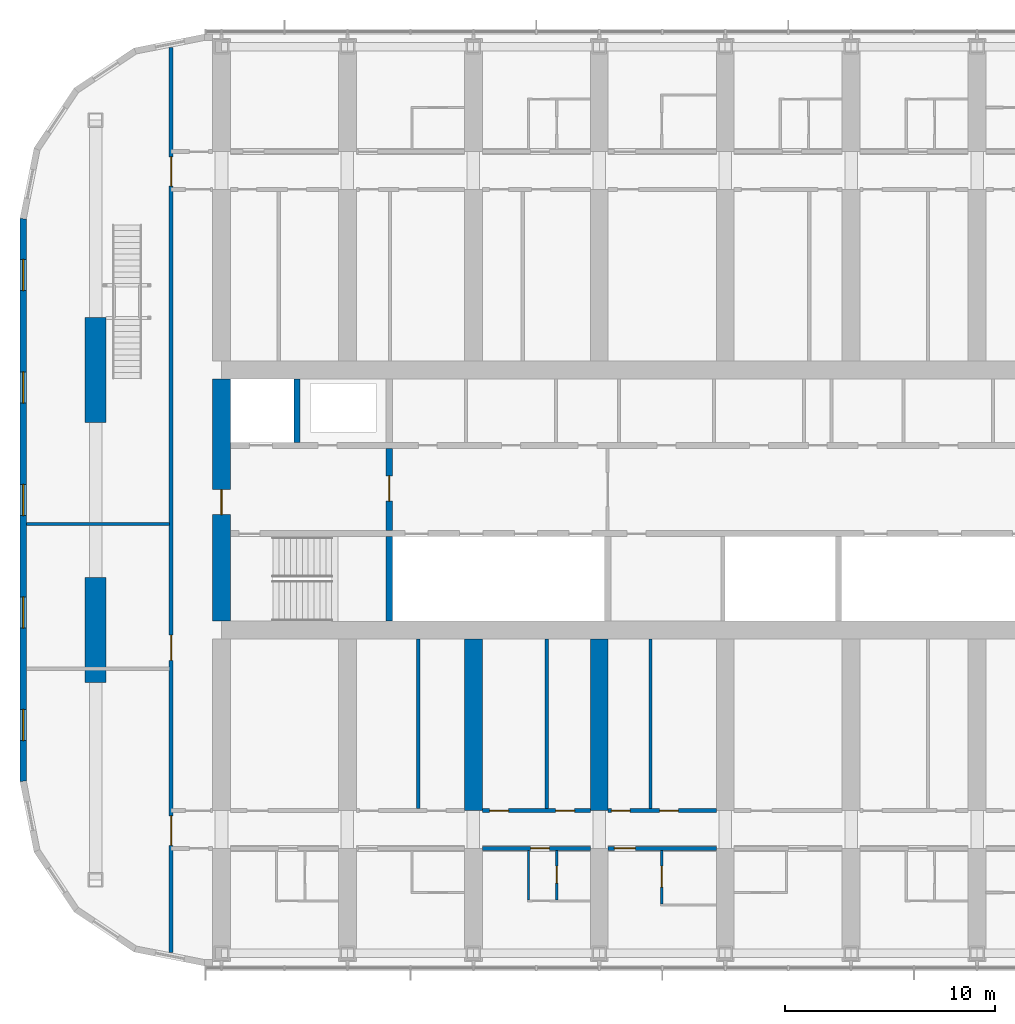
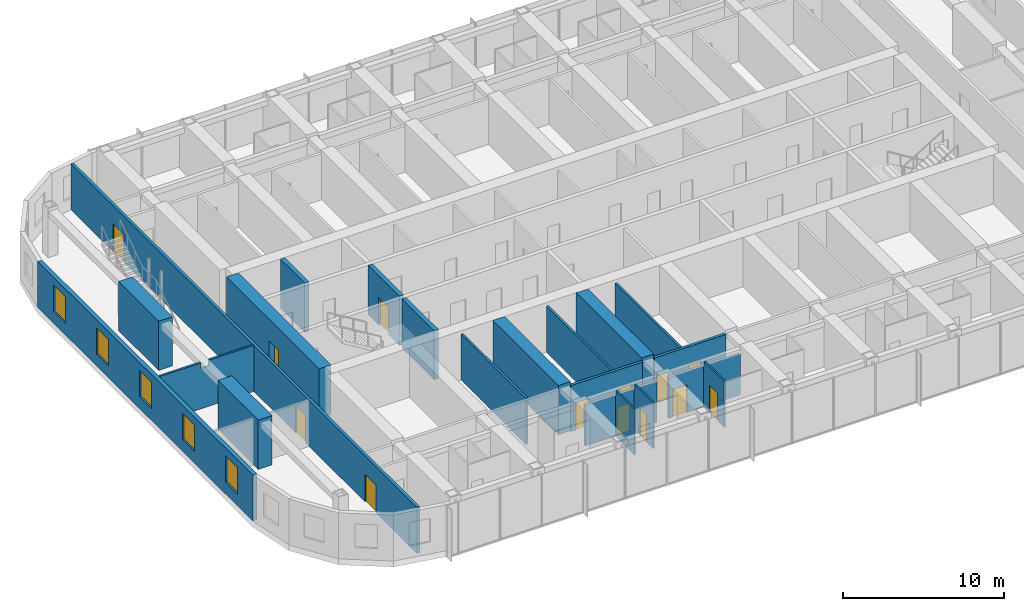
# One storey, part 15 of 29: 21 walls, 13 doors, 5 windows, 18 openings.
"""IFC4 building model written with IfcOpenShell, lengths in metres."""

from ifc_helpers import new_model, si_unit, direction, frame, frame_2d, origin, place, context, subcontext, project, spatial, polyline, rectangle, outline, extrude, material, layer, layer_set, type_object, element, fill, save


model = new_model("IFC4")

# Units and contexts
model_context = context("Model", 3, precision=1e-05, world=origin(), true_north=direction((0.0, 1.0)))
body_context = subcontext(model_context, "Body", "Model", "MODEL_VIEW")
ifc_project = project(units=[si_unit("LENGTHUNIT", "METRE"), si_unit("AREAUNIT", "SQUARE_METRE"), si_unit("VOLUMEUNIT", "CUBIC_METRE"), si_unit("PLANEANGLEUNIT", "RADIAN"), si_unit("MASSUNIT", "GRAM", prefix="KILO")], contexts=[model_context])

# Site, building, storey
site_placement = place(None, origin())
site = spatial("IfcSite", under=ifc_project, at=site_placement, CompositionType="ELEMENT")
building_placement = place(site_placement, origin())
building = spatial("IfcBuilding", under=site, at=building_placement, Name="Orbita Commons", CompositionType="ELEMENT")
storey_placement = place(building_placement, frame((0.0, 0.0, 163.60009765625)))
storey = spatial("IfcBuildingStorey", under=building, at=storey_placement, Name="L40", CompositionType="ELEMENT", Elevation=163.60009765625)

# Wall
ifc_material_1 = material(Name="Concrete C50/60", Category="concrete")
ifc_layer_1 = layer(ifc_material_1, 0.300048828125)
ifc_layer_set_1 = layer_set([ifc_layer_1], Name="Concrete C50/60")
wall_type_1 = type_object("IfcWallType", Name="Core inner wall 300 C50/60", PredefinedType="SHEAR", material=ifc_layer_set_1)
wall_1_placement = place(storey_placement, frame((26.0, 26.22509765625, 0.0), z_axis=(0.0, 0.0, 1.0), x_axis=(0.0, 1.0, 0.0)))
element("IfcWall", 1, at=wall_1_placement, inside=storey, type_object=wall_type_1, Name="Stair S1 wall L40", PredefinedType="SHEAR", context=body_context, shape_type="SweptSolid", body=[
    extrude(rectangle(XDim=4.02490234375, YDim=0.300048828125, at=frame_2d((2.012451171875, 0.0))), origin(), (0.0, 0.0, 1.0), 3.75),
])

# Wall, opening, door
wall_2_placement = place(storey_placement, frame((26.0, 30.550048828125, 0.0), z_axis=(0.0, 0.0, 1.0), x_axis=(0.0, 1.0, 0.0)))
wall_2 = element("IfcWall", 2, at=wall_2_placement, inside=storey, type_object=wall_type_1, Name="Firefighting lobby wall west L40", PredefinedType="SHEAR", context=body_context, shape_type="SweptSolid", body=[
    extrude(rectangle(XDim=3.89990234375, YDim=0.300048828125, at=frame_2d((1.949951171875, 0.0))), origin(), (0.0, 0.0, 1.0), 3.75),
])
opening_1_placement = place(wall_2_placement, frame((1.39990234375, 0.0, 0.0)))
opening_1 = element("IfcOpeningElement", 3, at=opening_1_placement, cuts=wall_2, Name="Opening D04", PredefinedType="OPENING", context=body_context, shape_type="SweptSolid", body=[
    extrude(rectangle(XDim=1.199951171875, YDim=2.10009765625, at=frame_2d((0.60009765625, 1.050048828125))), frame((0.0, 0.159912109375, 0.0), z_axis=(0.0, -1.0, 0.0), x_axis=(1.0, 0.0, 0.0)), (0.0, 0.0, 1.0), 0.320068359375),
])
ifc_material_2 = material(Name="Steel-faced fire door leaf", Category="steel")
door_type_1 = type_object("IfcDoorType", Name="Service door 20 min 1200x2100", OperationType="SINGLE_SWING_LEFT", PredefinedType="DOOR", material=ifc_material_2)
door_1_placement = place(opening_1_placement, origin())
door_1 = element("IfcDoor", 4, at=door_1_placement, inside=storey, type_object=door_type_1, Name="Lift lobby door west", OperationType="SINGLE_SWING_LEFT", OverallHeight=2.10009765625, OverallWidth=1.199951171875, PredefinedType="DOOR", context=body_context, shape_type="SweptSolid", body=[
    extrude(rectangle(XDim=1.199951171875, YDim=2.10009765625, at=frame_2d((0.60009765625, 1.050048828125))), frame((0.0, 0.02490234375, 0.0), z_axis=(0.0, -1.0, 0.0), x_axis=(1.0, 0.0, 0.0)), (0.0, 0.0, 1.0), 0.050048828125),
])
fill(opening_1, door_1)

# Wall
wall_3_placement = place(storey_placement, frame((21.60009765625, 34.75, 0.0), z_axis=(0.0, 0.0, 1.0), x_axis=(0.0, 1.0, 0.0)))
element("IfcWall", 5, at=wall_3_placement, inside=storey, type_object=wall_type_1, Name="Firefighting lift FL1 shaft wall L40", PredefinedType="SHEAR", context=body_context, shape_type="SweptSolid", body=[
    extrude(rectangle(XDim=3.02490234375, YDim=0.300048828125, at=frame_2d((1.512451171875, 0.0))), origin(), (0.0, 0.0, 1.0), 3.75),
])

# Wall, opening, door
ifc_material_3 = material(Name="Concrete C50/60", Category="concrete")
ifc_layer_2 = layer(ifc_material_3, 0.85009765625)
ifc_layer_set_2 = layer_set([ifc_layer_2], Name="Concrete C50/60")
wall_type_2 = type_object("IfcWallType", Name="Core wall 850 C50/60", PredefinedType="SHEAR", material=ifc_layer_set_2)
wall_4_placement = place(storey_placement, frame((18.0, 26.22509765625, 0.0), z_axis=(0.0, 0.0, 1.0), x_axis=(0.0, 1.0, 0.0)))
wall_4 = element("IfcWall", 6, at=wall_4_placement, inside=storey, type_object=wall_type_2, Name="Core end wall west L40", PredefinedType="SHEAR", context=body_context, shape_type="SweptSolid", body=[
    extrude(rectangle(XDim=11.5498046875, YDim=0.85009765625, at=frame_2d((5.77490234375, 0.0))), origin(), (0.0, 0.0, 1.0), 3.75),
])
opening_2_placement = place(wall_4_placement, frame((5.074951171875, 0.0, 0.0)))
opening_2 = element("IfcOpeningElement", 7, at=opening_2_placement, cuts=wall_4, Name="Opening D01", PredefinedType="OPENING", context=body_context, shape_type="SweptSolid", body=[
    extrude(rectangle(XDim=1.199951171875, YDim=2.10009765625, at=frame_2d((0.60009765625, 1.050048828125))), frame((0.0, 0.43505859375, 0.0), z_axis=(0.0, -1.0, 0.0), x_axis=(1.0, 0.0, 0.0)), (0.0, 0.0, 1.0), 0.8701171875),
])
ifc_material_4 = material(Name="Steel-faced fire door leaf", Category="steel")
door_type_2 = type_object("IfcDoorType", Name="Fire door 90 min 1200x2100", OperationType="SINGLE_SWING_LEFT", PredefinedType="DOOR", material=ifc_material_4)
door_2_placement = place(opening_2_placement, origin())
door_2 = element("IfcDoor", 8, at=door_2_placement, inside=storey, type_object=door_type_2, Name="Firefighting lobby west door", OperationType="SINGLE_SWING_LEFT", OverallHeight=2.10009765625, OverallWidth=1.199951171875, PredefinedType="DOOR", context=body_context, shape_type="SweptSolid", body=[
    extrude(rectangle(XDim=1.199951171875, YDim=2.10009765625, at=frame_2d((0.60009765625, 1.050048828125))), frame((0.0, 0.02490234375, 0.0), z_axis=(0.0, -1.0, 0.0), x_axis=(1.0, 0.0, 0.0)), (0.0, 0.0, 1.0), 0.050048828125),
])
fill(opening_2, door_2)

ifc_material_5 = material(Name="Concrete blockwork", Category="masonry")
ifc_layer_3 = layer(ifc_material_5, 0.199951171875)
ifc_layer_set_3 = layer_set([ifc_layer_3], Name="Concrete blockwork")
wall_type_3 = type_object("IfcWallType", Name="Corridor wall 200 blockwork", PredefinedType="SOLIDWALL", material=ifc_layer_set_3)
wall_5_placement = place(storey_placement, frame((30.425048828125, 15.39990234375, 0.0), z_axis=(0.0, 0.0, 1.0), x_axis=(1.0, 0.0, 0.0)))
wall_5 = element("IfcWall", 9, at=wall_5_placement, inside=storey, type_object=wall_type_3, Name="Corridor wall 200 blockwork L40", PredefinedType="SOLIDWALL", context=body_context, shape_type="SweptSolid", body=[
    extrude(outline(polyline([(0.0, 0.0), (5.14990234375, 0.0), (5.14990234375, 3.099853515625), (0.0, 3.099853515625), (0.0, 0.0)])), frame((0.0, 0.10009765625, 0.0), z_axis=(0.0, -1.0, 0.0), x_axis=(1.0, 0.0, 0.0)), (0.0, 0.0, 1.0), 0.199951171875),
])
opening_3_placement = place(wall_5_placement, frame((2.300048828125, 0.0, 0.0)))
opening_3 = element("IfcOpeningElement", 10, at=opening_3_placement, cuts=wall_5, Name="Opening D11", PredefinedType="OPENING", context=body_context, shape_type="SweptSolid", body=[
    extrude(rectangle(XDim=0.89990234375, YDim=2.10009765625, at=frame_2d((0.449951171875, 1.050048828125))), frame((0.0, 0.10986328125, 0.0), z_axis=(0.0, -1.0, 0.0), x_axis=(1.0, 0.0, 0.0)), (0.0, 0.0, 1.0), 0.219970703125),
])
ifc_material_6 = material(Name="Steel-faced fire door leaf", Category="steel")
door_type_3 = type_object("IfcDoorType", Name="Corridor door 20 min 900x2100", OperationType="SINGLE_SWING_LEFT", PredefinedType="DOOR", material=ifc_material_6)
door_3_placement = place(opening_3_placement, origin())
door_3 = element("IfcDoor", 11, at=door_3_placement, inside=storey, type_object=door_type_3, Name="Studio flat L40-S04 entrance door", OperationType="SINGLE_SWING_LEFT", OverallHeight=2.10009765625, OverallWidth=0.89990234375, PredefinedType="DOOR", context=body_context, shape_type="SweptSolid", body=[
    extrude(rectangle(XDim=0.89990234375, YDim=2.10009765625, at=frame_2d((0.449951171875, 1.050048828125))), frame((0.0, 0.02490234375, 0.0), z_axis=(0.0, -1.0, 0.0), x_axis=(1.0, 0.0, 0.0)), (0.0, 0.0, 1.0), 0.050048828125),
])
fill(opening_3, door_3)

wall_6_placement = place(storey_placement, frame((36.425048828125, 15.39990234375, 0.0), z_axis=(0.0, 0.0, 1.0), x_axis=(1.0, 0.0, 0.0)))
wall_6 = element("IfcWall", 12, at=wall_6_placement, inside=storey, type_object=wall_type_3, Name="Corridor wall 200 blockwork L40", PredefinedType="SOLIDWALL", context=body_context, shape_type="SweptSolid", body=[
    extrude(outline(polyline([(0.0, 0.0), (5.14990234375, 0.0), (5.14990234375, 3.099853515625), (0.0, 3.099853515625), (0.0, 0.0)])), frame((0.0, 0.10009765625, 0.0), z_axis=(0.0, -1.0, 0.0), x_axis=(1.0, 0.0, 0.0)), (0.0, 0.0, 1.0), 0.199951171875),
])
opening_4_placement = place(wall_6_placement, frame((0.300048828125, 0.0, 0.0)))
opening_4 = element("IfcOpeningElement", 13, at=opening_4_placement, cuts=wall_6, Name="Opening D06", PredefinedType="OPENING", context=body_context, shape_type="SweptSolid", body=[
    extrude(rectangle(XDim=1.0, YDim=2.10009765625, at=frame_2d((0.5, 1.050048828125))), frame((0.0, 0.10986328125, 0.0), z_axis=(0.0, -1.0, 0.0), x_axis=(1.0, 0.0, 0.0)), (0.0, 0.0, 1.0), 0.219970703125),
])
ifc_material_7 = material(Name="Steel-faced fire door leaf", Category="steel")
door_type_4 = type_object("IfcDoorType", Name="Corridor door 20 min 1000x2100", OperationType="SINGLE_SWING_LEFT", PredefinedType="DOOR", material=ifc_material_7)
door_4_placement = place(opening_4_placement, origin())
door_4 = element("IfcDoor", 14, at=door_4_placement, inside=storey, type_object=door_type_4, Name="Accessible bedroom L40-S06 door", OperationType="SINGLE_SWING_LEFT", OverallHeight=2.10009765625, OverallWidth=1.0, PredefinedType="DOOR", context=body_context, shape_type="SweptSolid", body=[
    extrude(rectangle(XDim=1.0, YDim=2.10009765625, at=frame_2d((0.5, 1.050048828125))), frame((0.0, 0.02490234375, 0.0), z_axis=(0.0, -1.0, 0.0), x_axis=(1.0, 0.0, 0.0)), (0.0, 0.0, 1.0), 0.050048828125),
])
fill(opening_4, door_4)

# Wall, openings, doors
wall_7_placement = place(storey_placement, frame((15.60009765625, 10.4462890625, 0.0), z_axis=(0.0, 0.0, 1.0), x_axis=(0.0, 1.0, 0.0)))
wall_7 = element("IfcWall", 15, at=wall_7_placement, inside=storey, type_object=wall_type_3, Name="Corridor wall 200 blockwork L40", PredefinedType="SOLIDWALL", context=body_context, shape_type="SweptSolid", body=[
    extrude(rectangle(XDim=43.107421875, YDim=0.199951171875, at=frame_2d((21.5537109375, 0.0))), origin(), (0.0, 0.0, 1.0), 3.5),
])
opening_5_placement = place(wall_7_placement, frame((13.913818359375, 0.0, 0.0)))
opening_5 = element("IfcOpeningElement", 16, at=opening_5_placement, cuts=wall_7, Name="Opening D15", PredefinedType="OPENING", context=body_context, shape_type="SweptSolid", body=[
    extrude(rectangle(XDim=1.199951171875, YDim=2.10009765625, at=frame_2d((0.60009765625, 1.050048828125))), frame((0.0, 0.10986328125, 0.0), z_axis=(0.0, -1.0, 0.0), x_axis=(1.0, 0.0, 0.0)), (0.0, 0.0, 1.0), 0.219970703125),
])
opening_6_placement = place(wall_7_placement, frame((5.103759765625, 0.0, 0.0)))
opening_6 = element("IfcOpeningElement", 17, at=opening_6_placement, cuts=wall_7, Name="Opening D08", PredefinedType="OPENING", context=body_context, shape_type="SweptSolid", body=[
    extrude(rectangle(XDim=1.39990234375, YDim=2.10009765625, at=frame_2d((0.699951171875, 1.050048828125))), frame((0.0, 0.10986328125, 0.0), z_axis=(0.0, -1.0, 0.0), x_axis=(1.0, 0.0, 0.0)), (0.0, 0.0, 1.0), 0.219970703125),
])
opening_7_placement = place(wall_7_placement, frame((36.50390625, 0.0, 0.0)))
opening_7 = element("IfcOpeningElement", 18, at=opening_7_placement, cuts=wall_7, Name="Opening D08", PredefinedType="OPENING", context=body_context, shape_type="SweptSolid", body=[
    extrude(rectangle(XDim=1.39990234375, YDim=2.10009765625, at=frame_2d((0.699951171875, 1.050048828125))), frame((0.0, 0.10986328125, 0.0), z_axis=(0.0, -1.0, 0.0), x_axis=(1.0, 0.0, 0.0)), (0.0, 0.0, 1.0), 0.219970703125),
])
ifc_material_8 = material(Name="Steel-faced fire door leaf", Category="steel")
door_type_5 = type_object("IfcDoorType", Name="Corridor door 20 min 1200x2100", OperationType="SINGLE_SWING_LEFT", PredefinedType="DOOR", material=ifc_material_8)
door_5_placement = place(opening_5_placement, origin())
door_5 = element("IfcDoor", 19, at=door_5_placement, inside=storey, type_object=door_type_5, Name="Reading room door", OperationType="SINGLE_SWING_LEFT", OverallHeight=2.10009765625, OverallWidth=1.199951171875, PredefinedType="DOOR", context=body_context, shape_type="SweptSolid", body=[
    extrude(rectangle(XDim=1.199951171875, YDim=2.10009765625, at=frame_2d((0.60009765625, 1.050048828125))), frame((0.0, 0.02490234375, 0.0), z_axis=(0.0, -1.0, 0.0), x_axis=(1.0, 0.0, 0.0)), (0.0, 0.0, 1.0), 0.050048828125),
])
fill(opening_5, door_5)
ifc_material_9 = material(Name="Steel-faced fire door leaf", Category="steel")
door_type_6 = type_object("IfcDoorType", Name="Double corridor door 20 min 1400x2100", OperationType="DOUBLE_DOOR_SINGLE_SWING", PredefinedType="DOOR", material=ifc_material_9)
door_6_placement = place(opening_6_placement, origin())
door_6 = element("IfcDoor", 20, at=door_6_placement, inside=storey, type_object=door_type_6, Name="Lounge doors", OperationType="DOUBLE_DOOR_SINGLE_SWING", OverallHeight=2.10009765625, OverallWidth=1.39990234375, PredefinedType="DOOR", context=body_context, shape_type="SweptSolid", body=[
    extrude(rectangle(XDim=1.39990234375, YDim=2.10009765625, at=frame_2d((0.699951171875, 1.050048828125))), frame((0.0, 0.02490234375, 0.0), z_axis=(0.0, -1.0, 0.0), x_axis=(1.0, 0.0, 0.0)), (0.0, 0.0, 1.0), 0.050048828125),
])
fill(opening_6, door_6)
door_7_placement = place(opening_7_placement, origin())
door_7 = element("IfcDoor", 21, at=door_7_placement, inside=storey, type_object=door_type_6, Name="Lounge doors", OperationType="DOUBLE_DOOR_SINGLE_SWING", OverallHeight=2.10009765625, OverallWidth=1.39990234375, PredefinedType="DOOR", context=body_context, shape_type="SweptSolid", body=[
    extrude(rectangle(XDim=1.39990234375, YDim=2.10009765625, at=frame_2d((0.699951171875, 1.050048828125))), frame((0.0, 0.02490234375, 0.0), z_axis=(0.0, -1.0, 0.0), x_axis=(1.0, 0.0, 0.0)), (0.0, 0.0, 1.0), 0.050048828125),
])
fill(opening_7, door_7)

ifc_material_10 = material(Name="Hollow concrete block 200", Category="concrete")
ifc_layer_4 = layer(ifc_material_10, 0.199951171875)
ifc_layer_set_4 = layer_set([ifc_layer_4], Name="Hollow concrete block 200")
wall_type_4 = type_object("IfcWallType", Name="Corridor wall 200 hollow concrete block", PredefinedType="SOLIDWALL", material=ifc_layer_set_4)
wall_8_placement = place(storey_placement, frame((30.425048828125, 17.199951171875, 0.0), z_axis=(0.0, 0.0, 1.0), x_axis=(1.0, 0.0, 0.0)))
wall_8 = element("IfcWall", 22, at=wall_8_placement, inside=storey, type_object=wall_type_4, Name="Corridor wall 200 hollow concrete block L40", PredefinedType="SOLIDWALL", context=body_context, shape_type="SweptSolid", body=[
    extrude(rectangle(XDim=5.14990234375, YDim=0.199951171875, at=frame_2d((2.574951171875, 0.0))), origin(), (0.0, 0.0, 1.0), 3.5),
])
opening_8_placement = place(wall_8_placement, frame((0.35009765625, 0.0, 0.0)))
opening_8 = element("IfcOpeningElement", 23, at=opening_8_placement, cuts=wall_8, Name="Opening D11", PredefinedType="OPENING", context=body_context, shape_type="SweptSolid", body=[
    extrude(rectangle(XDim=0.89990234375, YDim=2.10009765625, at=frame_2d((0.449951171875, 1.050048828125))), frame((0.0, 0.10986328125, 0.0), z_axis=(0.0, -1.0, 0.0), x_axis=(1.0, 0.0, 0.0)), (0.0, 0.0, 1.0), 0.219970703125),
])
opening_9_placement = place(wall_8_placement, frame((3.4951171875, 0.0, 0.0)))
opening_9 = element("IfcOpeningElement", 24, at=opening_9_placement, cuts=wall_8, Name="Opening D11", PredefinedType="OPENING", context=body_context, shape_type="SweptSolid", body=[
    extrude(rectangle(XDim=0.89990234375, YDim=2.10009765625, at=frame_2d((0.449951171875, 1.050048828125))), frame((0.0, 0.10986328125, 0.0), z_axis=(0.0, -1.0, 0.0), x_axis=(1.0, 0.0, 0.0)), (0.0, 0.0, 1.0), 0.219970703125),
])
door_8_placement = place(opening_8_placement, origin())
door_8 = element("IfcDoor", 25, at=door_8_placement, inside=storey, type_object=door_type_3, Name="Music practice room L40-BDS30 door", OperationType="SINGLE_SWING_LEFT", OverallHeight=2.10009765625, OverallWidth=0.89990234375, PredefinedType="DOOR", context=body_context, shape_type="SweptSolid", body=[
    extrude(rectangle(XDim=0.89990234375, YDim=2.10009765625, at=frame_2d((0.449951171875, 1.050048828125))), frame((0.0, 0.02490234375, 0.0), z_axis=(0.0, -1.0, 0.0), x_axis=(1.0, 0.0, 0.0)), (0.0, 0.0, 1.0), 0.050048828125),
])
fill(opening_8, door_8)
door_9_placement = place(opening_9_placement, origin())
door_9 = element("IfcDoor", 26, at=door_9_placement, inside=storey, type_object=door_type_3, Name="Battery and UPS room L40-BDS30n door", OperationType="SINGLE_SWING_LEFT", OverallHeight=2.10009765625, OverallWidth=0.89990234375, PredefinedType="DOOR", context=body_context, shape_type="SweptSolid", body=[
    extrude(rectangle(XDim=0.89990234375, YDim=2.10009765625, at=frame_2d((0.449951171875, 1.050048828125))), frame((0.0, 0.02490234375, 0.0), z_axis=(0.0, -1.0, 0.0), x_axis=(1.0, 0.0, 0.0)), (0.0, 0.0, 1.0), 0.050048828125),
])
fill(opening_9, door_9)

wall_9_placement = place(storey_placement, frame((36.425048828125, 17.199951171875, 0.0), z_axis=(0.0, 0.0, 1.0), x_axis=(1.0, 0.0, 0.0)))
wall_9 = element("IfcWall", 27, at=wall_9_placement, inside=storey, type_object=wall_type_4, Name="Corridor wall 200 hollow concrete block L40", PredefinedType="SOLIDWALL", context=body_context, shape_type="SweptSolid", body=[
    extrude(rectangle(XDim=5.14990234375, YDim=0.199951171875, at=frame_2d((2.574951171875, 0.0))), origin(), (0.0, 0.0, 1.0), 3.5),
])
opening_10_placement = place(wall_9_placement, frame((0.14990234375, 0.0, 0.0)))
opening_10 = element("IfcOpeningElement", 28, at=opening_10_placement, cuts=wall_9, Name="Opening D11", PredefinedType="OPENING", context=body_context, shape_type="SweptSolid", body=[
    extrude(rectangle(XDim=0.89990234375, YDim=2.10009765625, at=frame_2d((0.449951171875, 1.050048828125))), frame((0.0, 0.10986328125, 0.0), z_axis=(0.0, -1.0, 0.0), x_axis=(1.0, 0.0, 0.0)), (0.0, 0.0, 1.0), 0.219970703125),
])
opening_11_placement = place(wall_9_placement, frame((2.445068359375, 0.0, 0.0)))
opening_11 = element("IfcOpeningElement", 29, at=opening_11_placement, cuts=wall_9, Name="Opening D11", PredefinedType="OPENING", context=body_context, shape_type="SweptSolid", body=[
    extrude(rectangle(XDim=0.89990234375, YDim=2.10009765625, at=frame_2d((0.449951171875, 1.050048828125))), frame((0.0, 0.10986328125, 0.0), z_axis=(0.0, -1.0, 0.0), x_axis=(1.0, 0.0, 0.0)), (0.0, 0.0, 1.0), 0.219970703125),
])
door_10_placement = place(opening_10_placement, origin())
door_10 = element("IfcDoor", 30, at=door_10_placement, inside=storey, type_object=door_type_3, Name="Sprinkler valve room L40-BDS36n door", OperationType="SINGLE_SWING_LEFT", OverallHeight=2.10009765625, OverallWidth=0.89990234375, PredefinedType="DOOR", context=body_context, shape_type="SweptSolid", body=[
    extrude(rectangle(XDim=0.89990234375, YDim=2.10009765625, at=frame_2d((0.449951171875, 1.050048828125))), frame((0.0, 0.02490234375, 0.0), z_axis=(0.0, -1.0, 0.0), x_axis=(1.0, 0.0, 0.0)), (0.0, 0.0, 1.0), 0.050048828125),
])
fill(opening_10, door_10)
door_11_placement = place(opening_11_placement, origin())
door_11 = element("IfcDoor", 31, at=door_11_placement, inside=storey, type_object=door_type_3, Name="Prayer room L40-BDS36 door", OperationType="SINGLE_SWING_LEFT", OverallHeight=2.10009765625, OverallWidth=0.89990234375, PredefinedType="DOOR", context=body_context, shape_type="SweptSolid", body=[
    extrude(rectangle(XDim=0.89990234375, YDim=2.10009765625, at=frame_2d((0.449951171875, 1.050048828125))), frame((0.0, 0.02490234375, 0.0), z_axis=(0.0, -1.0, 0.0), x_axis=(1.0, 0.0, 0.0)), (0.0, 0.0, 1.0), 0.050048828125),
])
fill(opening_11, door_11)

# Walls
ifc_material_11 = material(Name="Concrete C50/60", Category="concrete")
ifc_layer_5 = layer(ifc_material_11, 0.85009765625)
ifc_layer_set_5 = layer_set([ifc_layer_5], Name="Concrete C50/60")
wall_type_5 = type_object("IfcWallType", Name="Cross wall 850 C50/60", PredefinedType="SHEAR", material=ifc_layer_set_5)
for number, where, z_axis, x_axis, name in (
    (32, (30.0, 17.199951171875, 0.0), (0.0, 0.0, 1.0), (0.0, 1.0, 0.0), "Cross wall 6 south inner L40"),
    (33, (36.0, 17.199951171875, 0.0), (0.0, 0.0, 1.0), (0.0, 1.0, 0.0), "Cross wall 7 south inner L40"),
):
    element("IfcWall", number, at=place(storey_placement, frame(where, z_axis=z_axis, x_axis=x_axis)), inside=storey, type_object=wall_type_5, Name=name, PredefinedType="SHEAR", context=body_context, shape_type="SweptSolid", body=[
        extrude(rectangle(XDim=8.175048828125, YDim=0.85009765625, at=frame_2d((4.08740234375, 0.0))), origin(), (0.0, 0.0, 1.0), 3.75),
    ])
ifc_material_12 = material(Name="Moisture-resistant plasterboard on steel studs", Category="steel")
ifc_layer_6 = layer(ifc_material_12, 0.10009765625)
ifc_layer_set_6 = layer_set([ifc_layer_6], Name="Moisture-resistant plasterboard on steel studs")
wall_type_6 = type_object("IfcWallType", Name="En-suite partition 100", PredefinedType="PARTITIONING", material=ifc_layer_set_6)
wall_10_placement = place(storey_placement, frame((32.625, 12.949951171875, 0.0), z_axis=(0.0, 0.0, 1.0), x_axis=(0.0, 1.0, 0.0)))
element("IfcWall", 34, at=wall_10_placement, inside=storey, type_object=wall_type_6, Name="En-suite partition 100 L40", PredefinedType="PARTITIONING", context=body_context, shape_type="SweptSolid", body=[
    extrude(outline(polyline([(0.0, 0.0), (2.35009765625, 0.0), (2.35009765625, 3.099853515625), (2.302001953125, 3.099853515625), (2.300048828125, 3.5), (0.0, 3.5), (0.0, 0.0)])), frame((0.0, 0.050048828125, 0.0), z_axis=(0.0, -1.0, 0.0), x_axis=(1.0, 0.0, 0.0)), (0.0, 0.0, 1.0), 0.10009765625),
])

# Wall, opening, door
wall_11_placement = place(storey_placement, frame((33.97509765625, 12.949951171875, 0.0), z_axis=(0.0, 0.0, 1.0), x_axis=(0.0, 1.0, 0.0)))
wall_11 = element("IfcWall", 35, at=wall_11_placement, inside=storey, type_object=wall_type_6, Name="En-suite partition 100 L40", PredefinedType="PARTITIONING", context=body_context, shape_type="SweptSolid", body=[
    extrude(outline(polyline([(0.0, 0.0), (2.35009765625, 0.0), (2.35009765625, 3.099853515625), (2.302001953125, 3.099853515625), (2.300048828125, 3.5), (0.0, 3.5), (0.0, 0.0)])), frame((0.0, 0.050048828125, 0.0), z_axis=(0.0, -1.0, 0.0), x_axis=(1.0, 0.0, 0.0)), (0.0, 0.0, 1.0), 0.10009765625),
])
opening_12_placement = place(wall_11_placement, frame((0.800048828125, 0.0, 0.0)))
opening_12 = element("IfcOpeningElement", 36, at=opening_12_placement, cuts=wall_11, Name="Opening D16", PredefinedType="OPENING", context=body_context, shape_type="SweptSolid", body=[
    extrude(rectangle(XDim=0.800048828125, YDim=2.10009765625, at=frame_2d((0.39990234375, 1.050048828125))), frame((0.0, 0.06005859375, 0.0), z_axis=(0.0, -1.0, 0.0), x_axis=(1.0, 0.0, 0.0)), (0.0, 0.0, 1.0), 0.1201171875),
])
ifc_material_13 = material(Name="Laminated timber door leaf", Category="wood")
door_type_7 = type_object("IfcDoorType", Name="En-suite door 800x2100", OperationType="SINGLE_SWING_RIGHT", PredefinedType="DOOR", material=ifc_material_13)
door_12_placement = place(opening_12_placement, origin())
door_12 = element("IfcDoor", 37, at=door_12_placement, inside=storey, type_object=door_type_7, Name="Studio flat shower room L40-S04 door", OperationType="SINGLE_SWING_RIGHT", OverallHeight=2.10009765625, OverallWidth=0.800048828125, PredefinedType="DOOR", context=body_context, shape_type="SweptSolid", body=[
    extrude(rectangle(XDim=0.800048828125, YDim=2.10009765625, at=frame_2d((0.39990234375, 1.050048828125))), frame((0.0, 0.02490234375, 0.0), z_axis=(0.0, -1.0, 0.0), x_axis=(1.0, 0.0, 0.0)), (0.0, 0.0, 1.0), 0.050048828125),
])
fill(opening_12, door_12)

wall_12_placement = place(storey_placement, frame((38.97509765625, 12.75, 0.0), z_axis=(0.0, 0.0, 1.0), x_axis=(0.0, 1.0, 0.0)))
wall_12 = element("IfcWall", 38, at=wall_12_placement, inside=storey, type_object=wall_type_6, Name="En-suite partition 100 L40", PredefinedType="PARTITIONING", context=body_context, shape_type="SweptSolid", body=[
    extrude(outline(polyline([(0.0, 0.0), (2.550048828125, 0.0), (2.550048828125, 3.099853515625), (2.501953125, 3.099853515625), (2.5, 3.5), (0.0, 3.5), (0.0, 0.0)])), frame((0.0, 0.050048828125, 0.0), z_axis=(0.0, -1.0, 0.0), x_axis=(1.0, 0.0, 0.0)), (0.0, 0.0, 1.0), 0.10009765625),
])
opening_13_placement = place(wall_12_placement, frame((0.800048828125, 0.0, 0.0)))
opening_13 = element("IfcOpeningElement", 39, at=opening_13_placement, cuts=wall_12, Name="Opening D13", PredefinedType="OPENING", context=body_context, shape_type="SweptSolid", body=[
    extrude(rectangle(XDim=1.0, YDim=2.10009765625, at=frame_2d((0.5, 1.050048828125))), frame((0.0, 0.06005859375, 0.0), z_axis=(0.0, -1.0, 0.0), x_axis=(1.0, 0.0, 0.0)), (0.0, 0.0, 1.0), 0.1201171875),
])
ifc_material_14 = material(Name="Laminated timber door leaf", Category="wood")
door_type_8 = type_object("IfcDoorType", Name="En-suite door 1000x2100", OperationType="SINGLE_SWING_RIGHT", PredefinedType="DOOR", material=ifc_material_14)
door_13_placement = place(opening_13_placement, origin())
door_13 = element("IfcDoor", 40, at=door_13_placement, inside=storey, type_object=door_type_8, Name="Accessible shower room L40-S06 door", OperationType="SINGLE_SWING_RIGHT", OverallHeight=2.10009765625, OverallWidth=1.0, PredefinedType="DOOR", context=body_context, shape_type="SweptSolid", body=[
    extrude(rectangle(XDim=1.0, YDim=2.10009765625, at=frame_2d((0.5, 1.050048828125))), frame((0.0, 0.02490234375, 0.0), z_axis=(0.0, -1.0, 0.0), x_axis=(1.0, 0.0, 0.0)), (0.0, 0.0, 1.0), 0.050048828125),
])
fill(opening_13, door_13)

# Walls
ifc_material_15 = material(Name="Concrete C50/60", Category="concrete")
ifc_layer_7 = layer(ifc_material_15, 1.0)
ifc_layer_set_7 = layer_set([ifc_layer_7], Name="Concrete C50/60")
wall_type_7 = type_object("IfcWallType", Name="End pier 1000x5000 C50/60", PredefinedType="SHEAR", material=ifc_layer_set_7)
for number, where, z_axis, x_axis, name in (
    (41, (12.0, 23.300048828125, 0.0), (0.0, 0.0, 1.0), (0.0, 1.0, 0.0), "End pier 3/C L40"),
    (42, (12.0, 35.699951171875, 0.0), (0.0, 0.0, 1.0), (0.0, 1.0, 0.0), "End pier 3/D L40"),
):
    element("IfcWall", number, at=place(storey_placement, frame(where, z_axis=z_axis, x_axis=x_axis)), inside=storey, type_object=wall_type_7, Name=name, PredefinedType="SHEAR", context=body_context, shape_type="SweptSolid", body=[
        extrude(rectangle(XDim=5.0, YDim=1.0, at=frame_2d((2.5, 0.0))), origin(), (0.0, 0.0, 1.0), 3.75),
    ])
ifc_material_16 = material(Name="Gypsum plasterboard on steel studs", Category="steel")
ifc_layer_8 = layer(ifc_material_16, 0.14990234375)
ifc_layer_set_8 = layer_set([ifc_layer_8], Name="Gypsum plasterboard on steel studs")
wall_type_8 = type_object("IfcWallType", Name="Partition 150 plasterboard", PredefinedType="PARTITIONING", material=ifc_layer_set_8)
for number, where, z_axis, x_axis, name in (
    (43, (27.375, 17.300048828125, 0.0), (0.0, 0.0, 1.0), (0.0, 1.0, 0.0), "Partition 150 plasterboard L40"),
    (44, (33.4951171875, 17.300048828125, 0.0), (0.0, 0.0, 1.0), (0.0, 1.0, 0.0), "Partition 150 plasterboard L40"),
    (45, (38.445068359375, 17.300048828125, 0.0), (0.0, 0.0, 1.0), (0.0, 1.0, 0.0), "Partition 150 plasterboard L40"),
):
    element("IfcWall", number, at=place(storey_placement, frame(where, z_axis=z_axis, x_axis=x_axis)), inside=storey, type_object=wall_type_8, Name=name, PredefinedType="PARTITIONING", context=body_context, shape_type="SweptSolid", body=[
        extrude(rectangle(XDim=8.074951171875, YDim=0.14990234375, at=frame_2d((4.03759765625, 0.0))), origin(), (0.0, 0.0, 1.0), 3.5),
    ])
wall_13_placement = place(storey_placement, frame((8.705078125, 30.85009765625, 0.0), z_axis=(0.0, 0.0, 1.0), x_axis=(1.0, 0.0, 0.0)))
element("IfcWall", 46, at=wall_13_placement, inside=storey, type_object=wall_type_8, Name="Partition 150 plasterboard L40", PredefinedType="PARTITIONING", context=body_context, shape_type="SweptSolid", body=[
    extrude(outline(polyline([(0.0, 0.0), (6.81982421875, 0.0), (6.820068359375, 3.5), (3.596923828125, 3.5), (3.594970703125, 3.0498046875), (2.9970703125, 3.0498046875), (2.9951171875, 3.5), (0.0, 3.5), (0.0, 0.0)])), frame((0.0, 0.074951171875, 0.0), z_axis=(0.0, -1.0, 0.0), x_axis=(1.0, 0.0, 0.0)), (0.0, 0.0, 1.0), 0.14990234375),
])

# Wall, openings, windows
ifc_material_17 = material(Name="Precast concrete C40/50, white board-marked finish", Category="concrete")
ifc_layer_9 = layer(ifc_material_17, 0.300048828125)
ifc_layer_set_9 = layer_set([ifc_layer_9], Name="Precast concrete C40/50, white board-marked finish")
wall_type_9 = type_object("IfcWallType", Name="Precast concrete end shield 300", PredefinedType="SOLIDWALL", material=ifc_layer_set_9)
wall_14_placement = place(storey_placement, frame((8.550048828125, 45.39990234375, 0.0), z_axis=(0.0, 0.0, 1.0), x_axis=(0.0, -1.0, 0.0)))
wall_14 = element("IfcWall", 47, at=wall_14_placement, inside=storey, type_object=wall_type_9, Name="End shield W L40", PredefinedType="SOLIDWALL", context=body_context, shape_type="SweptSolid", body=[
    extrude(outline(polyline([(-0.014892578125, -0.14990234375), (26.814697265625, -0.14990234375), (26.784912109375, 0.14990234375), (0.014892578125, 0.14990234375), (-0.014892578125, -0.14990234375)])), origin(), (0.0, 0.0, 1.0), 3.5),
])
opening_14_placement = place(wall_14_placement, frame((1.929931640625, 0.0, 0.89990234375)))
opening_14 = element("IfcOpeningElement", 48, at=opening_14_placement, cuts=wall_14, Name="Opening W01", PredefinedType="OPENING", context=body_context, shape_type="SweptSolid", body=[
    extrude(rectangle(XDim=1.5, YDim=2.0, at=frame_2d((0.75, 1.0))), frame((0.0, 0.159912109375, 0.0), z_axis=(0.0, -1.0, 0.0), x_axis=(1.0, 0.0, 0.0)), (0.0, 0.0, 1.0), 0.320068359375),
])
opening_15_placement = place(wall_14_placement, frame((7.2900390625, 0.0, 0.89990234375)))
opening_15 = element("IfcOpeningElement", 49, at=opening_15_placement, cuts=wall_14, Name="Opening W01", PredefinedType="OPENING", context=body_context, shape_type="SweptSolid", body=[
    extrude(rectangle(XDim=1.5, YDim=2.0, at=frame_2d((0.75, 1.0))), frame((0.0, 0.159912109375, 0.0), z_axis=(0.0, -1.0, 0.0), x_axis=(1.0, 0.0, 0.0)), (0.0, 0.0, 1.0), 0.320068359375),
])
opening_16_placement = place(wall_14_placement, frame((12.64990234375, 0.0, 0.89990234375)))
opening_16 = element("IfcOpeningElement", 50, at=opening_16_placement, cuts=wall_14, Name="Opening W01", PredefinedType="OPENING", context=body_context, shape_type="SweptSolid", body=[
    extrude(rectangle(XDim=1.5, YDim=2.0, at=frame_2d((0.75, 1.0))), frame((0.0, 0.159912109375, 0.0), z_axis=(0.0, -1.0, 0.0), x_axis=(1.0, 0.0, 0.0)), (0.0, 0.0, 1.0), 0.320068359375),
])
opening_17_placement = place(wall_14_placement, frame((18.010009765625, 0.0, 0.89990234375)))
opening_17 = element("IfcOpeningElement", 51, at=opening_17_placement, cuts=wall_14, Name="Opening W01", PredefinedType="OPENING", context=body_context, shape_type="SweptSolid", body=[
    extrude(rectangle(XDim=1.5, YDim=2.0, at=frame_2d((0.75, 1.0))), frame((0.0, 0.159912109375, 0.0), z_axis=(0.0, -1.0, 0.0), x_axis=(1.0, 0.0, 0.0)), (0.0, 0.0, 1.0), 0.320068359375),
])
opening_18_placement = place(wall_14_placement, frame((23.3701171875, 0.0, 0.89990234375)))
opening_18 = element("IfcOpeningElement", 52, at=opening_18_placement, cuts=wall_14, Name="Opening W01", PredefinedType="OPENING", context=body_context, shape_type="SweptSolid", body=[
    extrude(rectangle(XDim=1.5, YDim=2.0, at=frame_2d((0.75, 1.0))), frame((0.0, 0.159912109375, 0.0), z_axis=(0.0, -1.0, 0.0), x_axis=(1.0, 0.0, 0.0)), (0.0, 0.0, 1.0), 0.320068359375),
])
ifc_material_18 = material(Name="Aluminium frame, clear double glazing", Category="aluminium")
window_type = type_object("IfcWindowType", Name="Deep-set window 1500x2000", PartitioningType="SINGLE_PANEL", PredefinedType="WINDOW", material=ifc_material_18)
window_1_placement = place(opening_14_placement, origin())
window_1 = element("IfcWindow", 53, at=window_1_placement, inside=storey, type_object=window_type, Name="Window L40-W 1", OverallHeight=2.0, OverallWidth=1.5, PartitioningType="SINGLE_PANEL", PredefinedType="WINDOW", context=body_context, shape_type="SweptSolid", body=[
    extrude(rectangle(XDim=1.5, YDim=2.0, at=frame_2d((0.75, 1.0))), frame((0.0, 0.030029296875, 0.0), z_axis=(0.0, -1.0, 0.0), x_axis=(1.0, 0.0, 0.0)), (0.0, 0.0, 1.0), 0.06005859375),
])
fill(opening_14, window_1)
window_2_placement = place(opening_15_placement, origin())
window_2 = element("IfcWindow", 54, at=window_2_placement, inside=storey, type_object=window_type, Name="Window L40-W 2", OverallHeight=2.0, OverallWidth=1.5, PartitioningType="SINGLE_PANEL", PredefinedType="WINDOW", context=body_context, shape_type="SweptSolid", body=[
    extrude(rectangle(XDim=1.5, YDim=2.0, at=frame_2d((0.75, 1.0))), frame((0.0, 0.030029296875, 0.0), z_axis=(0.0, -1.0, 0.0), x_axis=(1.0, 0.0, 0.0)), (0.0, 0.0, 1.0), 0.06005859375),
])
fill(opening_15, window_2)
window_3_placement = place(opening_16_placement, origin())
window_3 = element("IfcWindow", 55, at=window_3_placement, inside=storey, type_object=window_type, Name="Window L40-W 3", OverallHeight=2.0, OverallWidth=1.5, PartitioningType="SINGLE_PANEL", PredefinedType="WINDOW", context=body_context, shape_type="SweptSolid", body=[
    extrude(rectangle(XDim=1.5, YDim=2.0, at=frame_2d((0.75, 1.0))), frame((0.0, 0.030029296875, 0.0), z_axis=(0.0, -1.0, 0.0), x_axis=(1.0, 0.0, 0.0)), (0.0, 0.0, 1.0), 0.06005859375),
])
fill(opening_16, window_3)
window_4_placement = place(opening_17_placement, origin())
window_4 = element("IfcWindow", 56, at=window_4_placement, inside=storey, type_object=window_type, Name="Window L40-W 4", OverallHeight=2.0, OverallWidth=1.5, PartitioningType="SINGLE_PANEL", PredefinedType="WINDOW", context=body_context, shape_type="SweptSolid", body=[
    extrude(rectangle(XDim=1.5, YDim=2.0, at=frame_2d((0.75, 1.0))), frame((0.0, 0.030029296875, 0.0), z_axis=(0.0, -1.0, 0.0), x_axis=(1.0, 0.0, 0.0)), (0.0, 0.0, 1.0), 0.06005859375),
])
fill(opening_17, window_4)
window_5_placement = place(opening_18_placement, origin())
window_5 = element("IfcWindow", 57, at=window_5_placement, inside=storey, type_object=window_type, Name="Window L40-W 5", OverallHeight=2.0, OverallWidth=1.5, PartitioningType="SINGLE_PANEL", PredefinedType="WINDOW", context=body_context, shape_type="SweptSolid", body=[
    extrude(rectangle(XDim=1.5, YDim=2.0, at=frame_2d((0.75, 1.0))), frame((0.0, 0.030029296875, 0.0), z_axis=(0.0, -1.0, 0.0), x_axis=(1.0, 0.0, 0.0)), (0.0, 0.0, 1.0), 0.06005859375),
])
fill(opening_18, window_5)

save(model, "model.ifc")
